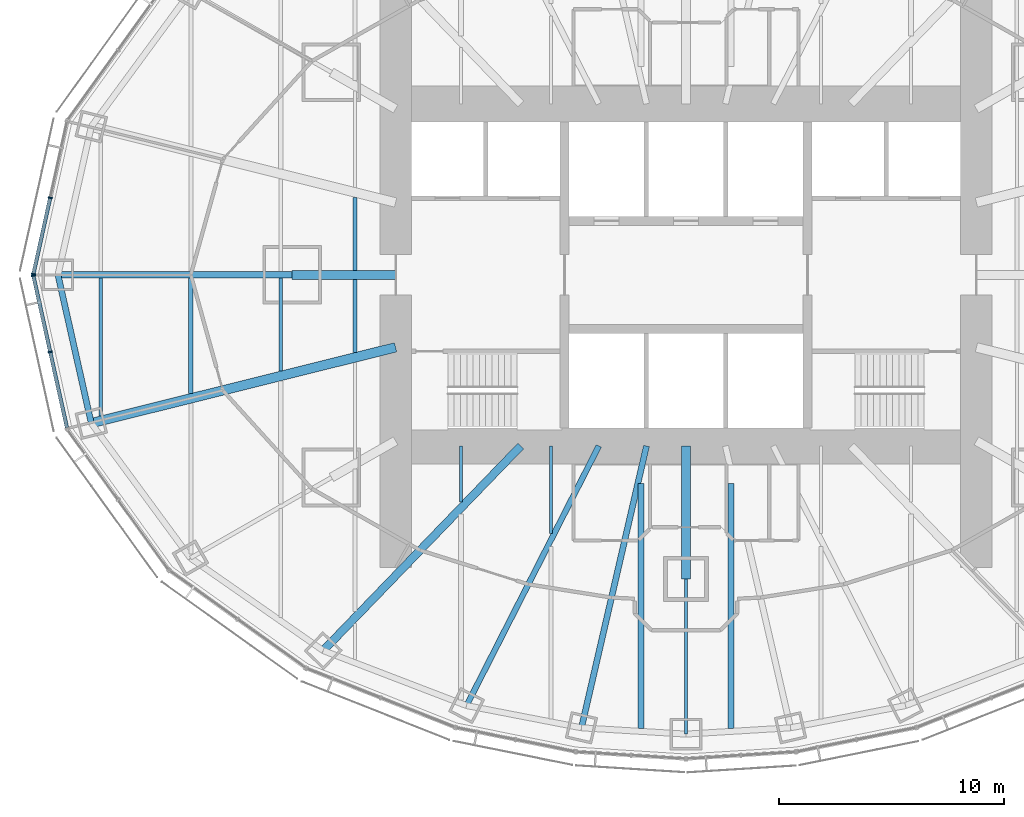
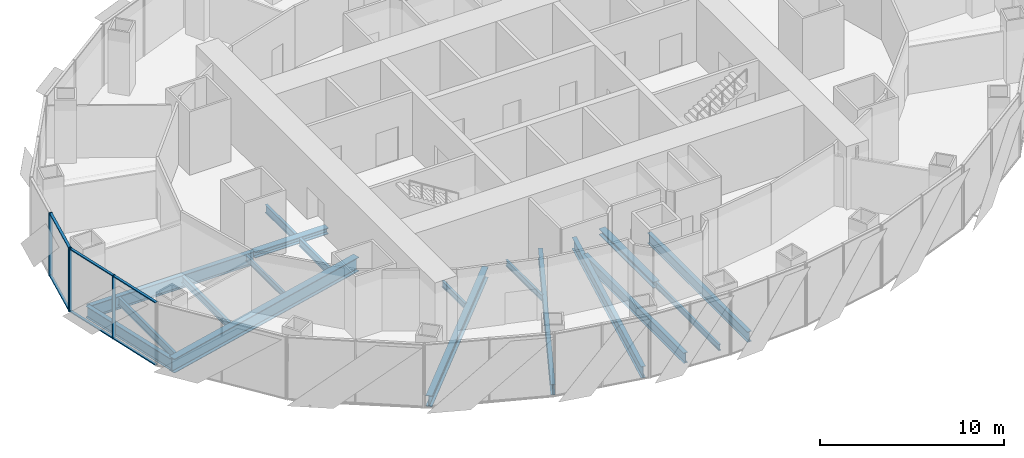
# One storey, part 3 of 17: 18 beams, 10 members, 2 elements without a shape of their own.
"""IFC4 building model written with IfcOpenShell, lengths in metres."""

from ifc_helpers import new_model, si_unit, direction, frame, origin, origin_2d, place, context, subcontext, project, spatial, rectangle, i_section, extrude, material, material_profile, profile_set, type_object, element, aggregate, save


model = new_model("IFC4")

# Units and contexts
model_context = context("Model", 3, precision=1e-05, world=origin(), true_north=direction((0.0, 1.0)))
body_context = subcontext(model_context, "Body", "Model", "MODEL_VIEW")
ifc_project = project(units=[si_unit("LENGTHUNIT", "METRE"), si_unit("AREAUNIT", "SQUARE_METRE"), si_unit("VOLUMEUNIT", "CUBIC_METRE"), si_unit("PLANEANGLEUNIT", "RADIAN"), si_unit("MASSUNIT", "GRAM", prefix="KILO")], contexts=[model_context])

# Site, building, storey
site_placement = place(None, origin())
site = spatial("IfcSite", under=ifc_project, at=site_placement, CompositionType="ELEMENT")
building_placement = place(site_placement, origin())
building = spatial("IfcBuilding", under=site, at=building_placement, Name="Lantaw Convention Tower", CompositionType="ELEMENT")
storey_placement = place(building_placement, frame((0.0, 0.0, 121.60009765625)))
storey = spatial("IfcBuildingStorey", under=building, at=storey_placement, Name="L28", CompositionType="ELEMENT", Elevation=121.60009765625)

# Beams
ifc_material_1 = material(Name="Steel ASTM A992", Category="steel")
ifc_material_profile_1 = material_profile(ifc_material_1, i_section(OverallWidth=0.2666015625, OverallDepth=0.76953125, WebThickness=0.015625, FlangeThickness=0.025390625, FilletRadius=0.0126953125, at=origin_2d()), Name="W30X132")
ifc_profile_set_1 = profile_set([ifc_material_profile_1], Name="Steel ASTM A992")
beam_type_1 = type_object("IfcBeamType", Name="Beam E W30X132", PredefinedType="SPANDREL", material=ifc_profile_set_1)
beam_1_placement = place(storey_placement, frame((-27.89990234375, 0.0, -0.534912109375), z_axis=(0.219211877447, -0.975677279015, 0.0), x_axis=(0.975677279015, 0.219211877447, 0.0)))
element("IfcBeam", 1, at=beam_1_placement, inside=storey, type_object=beam_type_1, Name="Edge beam 13", PredefinedType="SPANDREL", context=body_context, shape_type="SweptSolid", body=[
    extrude(i_section(OverallWidth=0.2666015625, OverallDepth=0.76953125, WebThickness=0.015625, FlangeThickness=0.025390625, FilletRadius=0.0126953125, at=origin_2d()), origin(), (0.0, 0.0, 1.0), 6.75146484375),
])
ifc_material_profile_2 = material_profile(ifc_material_1, i_section(OverallWidth=0.140380859375, OverallDepth=0.40380859375, WebThickness=0.007080078125, FlangeThickness=0.01123046875, FilletRadius=0.01025390625, at=origin_2d()), Name="W16X31")
ifc_profile_set_2 = profile_set([ifc_material_profile_2], Name="Steel ASTM A992")
beam_type_2 = type_object("IfcBeamType", Name="Beam G W16X31", PredefinedType="BEAM", material=ifc_profile_set_2)
beam_2_placement = place(storey_placement, frame((0.0, -13.5, -0.35205078125), z_axis=(0.0, -1.0, 0.0), x_axis=(1.0, 0.0, 0.0)))
element("IfcBeam", 2, at=beam_2_placement, inside=storey, type_object=beam_type_2, Name="Floor girder on ray 19", PredefinedType="BEAM", context=body_context, shape_type="SweptSolid", body=[
    extrude(i_section(OverallWidth=0.140380859375, OverallDepth=0.40380859375, WebThickness=0.007080078125, FlangeThickness=0.01123046875, FilletRadius=0.01025390625, at=origin_2d()), origin(), (0.0, 0.0, 1.0), 6.89990234375),
])
ifc_material_profile_3 = material_profile(ifc_material_1, i_section(OverallWidth=0.25390625, OverallDepth=0.700927734375, WebThickness=0.015380859375, FlangeThickness=0.02783203125, FilletRadius=0.01513671875, at=origin_2d()), Name="W27X129")
ifc_profile_set_3 = profile_set([ifc_material_profile_3], Name="Steel ASTM A992")
beam_type_3 = type_object("IfcBeamType", Name="Beam G W27X129", PredefinedType="BEAM", material=ifc_profile_set_3)
beam_3_placement = place(storey_placement, frame((-3.872314453125, -7.60009765625, -0.500732421875), z_axis=(-0.453991051051, -0.891006243281, 0.0), x_axis=(0.891006243281, -0.453991051051, 0.0)))
element("IfcBeam", 3, at=beam_3_placement, inside=storey, type_object=beam_type_3, Name="Floor girder on ray 17", PredefinedType="BEAM", context=body_context, shape_type="SweptSolid", body=[
    extrude(i_section(OverallWidth=0.25390625, OverallDepth=0.700927734375, WebThickness=0.015380859375, FlangeThickness=0.02783203125, FilletRadius=0.01513671875, at=origin_2d()), origin(), (0.0, 0.0, 1.0), 12.943359375),
])
ifc_material_profile_4 = material_profile(ifc_material_1, i_section(OverallWidth=0.360595703125, OverallDepth=0.72900390625, WebThickness=0.023193359375, FlangeThickness=0.041015625, FilletRadius=0.0126953125, at=origin_2d()), Name="W27X235")
ifc_profile_set_4 = profile_set([ifc_material_profile_4], Name="Steel ASTM A992")
beam_type_4 = type_object("IfcBeamType", Name="Beam G W27X235", PredefinedType="BEAM", material=ifc_profile_set_4)
beam_4_placement = place(storey_placement, frame((-7.33935546875, -7.60009765625, -0.5146484375), z_axis=(-0.694663467407, -0.719334878239, 0.0), x_axis=(0.719334878239, -0.694663467407, 0.0)))
element("IfcBeam", 4, at=beam_4_placement, inside=storey, type_object=beam_type_4, Name="Floor girder on ray 16", PredefinedType="BEAM", context=body_context, shape_type="SweptSolid", body=[
    extrude(i_section(OverallWidth=0.360595703125, OverallDepth=0.72900390625, WebThickness=0.023193359375, FlangeThickness=0.041015625, FilletRadius=0.0126953125, at=origin_2d()), origin(), (0.0, 0.0, 1.0), 12.63671875),
])
ifc_material_profile_5 = material_profile(ifc_material_1, i_section(OverallWidth=0.2666015625, OverallDepth=0.7568359375, WebThickness=0.013916015625, FlangeThickness=0.019287109375, FilletRadius=0.0126953125, at=origin_2d()), Name="W30X108")
ifc_profile_set_5 = profile_set([ifc_material_profile_5], Name="Steel ASTM A992")
beam_type_5 = type_object("IfcBeamType", Name="Beam G W30X108", PredefinedType="BEAM", material=ifc_profile_set_5)
beam_5_placement = place(storey_placement, frame((-1.754638671875, -7.60009765625, -0.528564453125), z_axis=(-0.224944153104, -0.974371658036, 0.0), x_axis=(0.974371658036, -0.224944153104, 0.0)))
element("IfcBeam", 5, at=beam_5_placement, inside=storey, type_object=beam_type_5, Name="Floor girder on ray 18", PredefinedType="BEAM", context=body_context, shape_type="SweptSolid", body=[
    extrude(i_section(OverallWidth=0.2666015625, OverallDepth=0.7568359375, WebThickness=0.013916015625, FlangeThickness=0.019287109375, FilletRadius=0.0126953125, at=origin_2d()), origin(), (0.0, 0.0, 1.0), 12.849365234375),
])
ifc_material_profile_6 = material_profile(ifc_material_1, i_section(OverallWidth=0.2919921875, OverallDepth=0.845703125, WebThickness=0.015380859375, FlangeThickness=0.0244140625, FilletRadius=0.01513671875, at=origin_2d()), Name="W33X141")
ifc_profile_set_6 = profile_set([ifc_material_profile_6], Name="Steel ASTM A992")
beam_type_6 = type_object("IfcBeamType", Name="Beam G W33X141", PredefinedType="BEAM", material=ifc_profile_set_6)
beam_6_placement = place(storey_placement, frame((-17.5, 0.0, -0.572998046875), z_axis=(-1.0, 0.0, 0.0), x_axis=(0.0, -1.0, 0.0)))
element("IfcBeam", 6, at=beam_6_placement, inside=storey, type_object=beam_type_6, Name="Floor girder on ray 13", PredefinedType="BEAM", context=body_context, shape_type="SweptSolid", body=[
    extrude(i_section(OverallWidth=0.2919921875, OverallDepth=0.845703125, WebThickness=0.015380859375, FlangeThickness=0.0244140625, FilletRadius=0.01513671875, at=origin_2d()), origin(), (0.0, 0.0, 1.0), 10.39990234375),
])
ifc_material_profile_7 = material_profile(ifc_material_1, i_section(OverallWidth=0.421630859375, OverallDepth=0.937255859375, WebThickness=0.0224609375, FlangeThickness=0.039794921875, FilletRadius=0.02001953125, at=origin_2d()), Name="W36X282")
ifc_profile_set_7 = profile_set([ifc_material_profile_7], Name="Steel ASTM A992")
beam_type_7 = type_object("IfcBeamType", Name="Beam G W36X282", PredefinedType="BEAM", material=ifc_profile_set_7)
beam_7_placement = place(storey_placement, frame((-12.89990234375, -3.21630859375, -0.61865234375), z_axis=(-0.970296903132, -0.24191717544, 0.0), x_axis=(0.24191717544, -0.970296903132, 0.0)))
element("IfcBeam", 7, at=beam_7_placement, inside=storey, type_object=beam_type_7, Name="Floor girder on ray 14", PredefinedType="BEAM", context=body_context, shape_type="SweptSolid", body=[
    extrude(i_section(OverallWidth=0.421630859375, OverallDepth=0.937255859375, WebThickness=0.0224609375, FlangeThickness=0.039794921875, FilletRadius=0.02001953125, at=origin_2d()), origin(), (0.0, 0.0, 1.0), 13.933837890625),
])
ifc_material_profile_8 = material_profile(ifc_material_1, i_section(OverallWidth=0.40380859375, OverallDepth=0.406494140625, WebThickness=0.027099609375, FlangeThickness=0.043701171875, FilletRadius=0.01513671875, at=origin_2d()), Name="W14X233")
ifc_profile_set_8 = profile_set([ifc_material_profile_8], Name="Steel ASTM A992")
beam_type_8 = type_object("IfcBeamType", Name="Beam GM W14X233", PredefinedType="BEAM", material=ifc_profile_set_8)
beam_8_placement = place(storey_placement, frame((-12.89990234375, 0.0, -0.353271484375), z_axis=(-1.0, 0.0, 0.0), x_axis=(0.0, -1.0, 0.0)))
element("IfcBeam", 8, at=beam_8_placement, inside=storey, type_object=beam_type_8, Name="Core link beam on ray 13", PredefinedType="BEAM", context=body_context, shape_type="SweptSolid", body=[
    extrude(i_section(OverallWidth=0.40380859375, OverallDepth=0.406494140625, WebThickness=0.027099609375, FlangeThickness=0.043701171875, FilletRadius=0.01513671875, at=origin_2d()), origin(), (0.0, 0.0, 1.0), 4.60009765625),
])
beam_9_placement = place(storey_placement, frame((0.0, -7.60009765625, -0.353271484375), z_axis=(0.0, -1.0, 0.0), x_axis=(1.0, 0.0, 0.0)))
element("IfcBeam", 9, at=beam_9_placement, inside=storey, type_object=beam_type_8, Name="Core link beam on ray 19", PredefinedType="BEAM", context=body_context, shape_type="SweptSolid", body=[
    extrude(i_section(OverallWidth=0.40380859375, OverallDepth=0.406494140625, WebThickness=0.027099609375, FlangeThickness=0.043701171875, FilletRadius=0.01513671875, at=origin_2d()), origin(), (0.0, 0.0, 1.0), 5.89990234375),
])
ifc_material_profile_9 = material_profile(ifc_material_1, i_section(OverallWidth=0.140380859375, OverallDepth=0.40380859375, WebThickness=0.007080078125, FlangeThickness=0.01123046875, FilletRadius=0.01025390625, at=origin_2d()), Name="W16X31")
ifc_profile_set_9 = profile_set([ifc_material_profile_9], Name="Steel ASTM A992")
beam_type_9 = type_object("IfcBeamType", Name="Beam J W16X31", PredefinedType="JOIST", material=ifc_profile_set_9)
beam_10_placement = place(storey_placement, frame((-18.0, -4.270751953125, -0.35205078125), z_axis=(0.0, 1.0, 0.0), x_axis=(-1.0, 0.0, 0.0)))
element("IfcBeam", 10, at=beam_10_placement, inside=storey, type_object=beam_type_9, Name="Floor joist", PredefinedType="JOIST", context=body_context, shape_type="SweptSolid", body=[
    extrude(i_section(OverallWidth=0.140380859375, OverallDepth=0.40380859375, WebThickness=0.007080078125, FlangeThickness=0.01123046875, FilletRadius=0.01025390625, at=origin_2d()), origin(), (0.0, 0.0, 1.0), 4.124755859375),
])
beam_11_placement = place(storey_placement, frame((-10.0, -10.095703125, -0.35205078125), z_axis=(0.0, 1.0, 0.0), x_axis=(-1.0, 0.0, 0.0)))
element("IfcBeam", 11, at=beam_11_placement, inside=storey, type_object=beam_type_9, Name="Floor joist", PredefinedType="JOIST", context=body_context, shape_type="SweptSolid", body=[
    extrude(i_section(OverallWidth=0.140380859375, OverallDepth=0.40380859375, WebThickness=0.007080078125, FlangeThickness=0.01123046875, FilletRadius=0.01025390625, at=origin_2d()), origin(), (0.0, 0.0, 1.0), 2.49560546875),
])
beam_12_placement = place(storey_placement, frame((-6.0, -11.495849609375, -0.35205078125), z_axis=(0.0, 1.0, 0.0), x_axis=(-1.0, 0.0, 0.0)))
element("IfcBeam", 12, at=beam_12_placement, inside=storey, type_object=beam_type_9, Name="Floor joist", PredefinedType="JOIST", context=body_context, shape_type="SweptSolid", body=[
    extrude(i_section(OverallWidth=0.140380859375, OverallDepth=0.40380859375, WebThickness=0.007080078125, FlangeThickness=0.01123046875, FilletRadius=0.01025390625, at=origin_2d()), origin(), (0.0, 0.0, 1.0), 3.895751953125),
])
ifc_material_profile_10 = material_profile(ifc_material_1, i_section(OverallWidth=0.1904296875, OverallDepth=0.457275390625, WebThickness=0.009033203125, FlangeThickness=0.014404296875, FilletRadius=0.01025390625, at=origin_2d()), Name="W18X50")
ifc_profile_set_10 = profile_set([ifc_material_profile_10], Name="Steel ASTM A992")
beam_type_10 = type_object("IfcBeamType", Name="Beam J W18X50", PredefinedType="JOIST", material=ifc_profile_set_10)
beam_13_placement = place(storey_placement, frame((-22.0, -5.267822265625, -0.378662109375), z_axis=(0.0, 1.0, 0.0), x_axis=(-1.0, 0.0, 0.0)))
element("IfcBeam", 13, at=beam_13_placement, inside=storey, type_object=beam_type_10, Name="Floor joist", PredefinedType="JOIST", context=body_context, shape_type="SweptSolid", body=[
    extrude(i_section(OverallWidth=0.1904296875, OverallDepth=0.457275390625, WebThickness=0.009033203125, FlangeThickness=0.014404296875, FilletRadius=0.01025390625, at=origin_2d()), origin(), (0.0, 0.0, 1.0), 5.121826171875),
])
ifc_material_profile_11 = material_profile(ifc_material_1, i_section(OverallWidth=0.1650390625, OverallDepth=0.52587890625, WebThickness=0.0087890625, FlangeThickness=0.011474609375, FilletRadius=0.0126953125, at=origin_2d()), Name="W21X44")
ifc_profile_set_11 = profile_set([ifc_material_profile_11], Name="Steel ASTM A992")
beam_type_11 = type_object("IfcBeamType", Name="Beam J W21X44", PredefinedType="JOIST", material=ifc_profile_set_11)
beam_14_placement = place(storey_placement, frame((-26.0, -6.26513671875, -0.4130859375), z_axis=(0.0, 1.0, 0.0), x_axis=(-1.0, 0.0, 0.0)))
element("IfcBeam", 14, at=beam_14_placement, inside=storey, type_object=beam_type_11, Name="Floor joist", PredefinedType="JOIST", context=body_context, shape_type="SweptSolid", body=[
    extrude(i_section(OverallWidth=0.1650390625, OverallDepth=0.52587890625, WebThickness=0.0087890625, FlangeThickness=0.011474609375, FilletRadius=0.0126953125, at=origin_2d()), origin(), (0.0, 0.0, 1.0), 6.119140625),
])
ifc_material_profile_12 = material_profile(ifc_material_1, i_section(OverallWidth=0.165771484375, OverallDepth=0.5283203125, WebThickness=0.009765625, FlangeThickness=0.013671875, FilletRadius=0.012939453125, at=origin_2d()), Name="W21X50")
ifc_profile_set_12 = profile_set([ifc_material_profile_12], Name="Steel ASTM A992")
beam_type_12 = type_object("IfcBeamType", Name="Beam J W21X50", PredefinedType="JOIST", material=ifc_profile_set_12)
for number, where, z_axis, x_axis, name in (
    (15, (-14.699951171875, -3.44775390625, -0.414306640625), (0.0, 1.0, 0.0), (-1.0, 0.0, 0.0), "Floor joist"),
    (16, (-14.699951171875, 0.201904296875, -0.414306640625), (0.0, 1.0, 0.0), (-1.0, 0.0, 0.0), "Floor joist"),
):
    element("IfcBeam", number, at=place(storey_placement, frame(where, z_axis=z_axis, x_axis=x_axis)), inside=storey, type_object=beam_type_12, Name=name, PredefinedType="JOIST", context=body_context, shape_type="SweptSolid", body=[
        extrude(i_section(OverallWidth=0.165771484375, OverallDepth=0.5283203125, WebThickness=0.009765625, FlangeThickness=0.013671875, FilletRadius=0.012939453125, at=origin_2d()), origin(), (0.0, 0.0, 1.0), 3.245849609375),
    ])
ifc_material_profile_13 = material_profile(ifc_material_1, i_section(OverallWidth=0.25390625, OverallDepth=0.683349609375, WebThickness=0.012451171875, FlangeThickness=0.01904296875, FilletRadius=0.01513671875, at=origin_2d()), Name="W27X94")
ifc_profile_set_13 = profile_set([ifc_material_profile_13], Name="Steel ASTM A992")
beam_type_13 = type_object("IfcBeamType", Name="Beam J W27X94", PredefinedType="JOIST", material=ifc_profile_set_13)
for number, where, z_axis, x_axis, name in (
    (17, (-2.0, -20.145751953125, -0.49169921875), (0.0, 1.0, 0.0), (-1.0, 0.0, 0.0), "Floor joist"),
    (18, (2.0, -20.145751953125, -0.49169921875), (0.0, 1.0, 0.0), (-1.0, 0.0, 0.0), "Floor joist"),
):
    element("IfcBeam", number, at=place(storey_placement, frame(where, z_axis=z_axis, x_axis=x_axis)), inside=storey, type_object=beam_type_13, Name=name, PredefinedType="JOIST", context=body_context, shape_type="SweptSolid", body=[
        extrude(i_section(OverallWidth=0.25390625, OverallDepth=0.683349609375, WebThickness=0.012451171875, FlangeThickness=0.01904296875, FilletRadius=0.01513671875, at=origin_2d()), origin(), (0.0, 0.0, 1.0), 10.889892578125),
    ])

# Curtain wall, members
ifc_material_2 = material(Name="Aluminium framed curtain wall", Category="aluminium")
curtain_wall_type = type_object("IfcCurtainWallType", Name="Office curtain wall low rise, pale aluminium", PredefinedType="USERDEFINED", material=ifc_material_2)
curtain_wall_1_placement = place(storey_placement, origin())
curtain_wall_1 = element("IfcCurtainWall", 19, at=curtain_wall_1_placement, inside=storey, type_object=curtain_wall_type, Name="Office curtain wall low rise, pale aluminium L28", ObjectType="UNITISED CURTAIN WALL", PredefinedType="USERDEFINED")
ifc_material_3 = material(Name="Aluminium 6063-T6", Category="aluminium")
ifc_material_profile_14 = material_profile(ifc_material_3, rectangle(XDim=0.199951171875, YDim=0.06494140625, at=origin_2d()), Name="CW-O1 mullion 65x200")
ifc_profile_set_14 = profile_set([ifc_material_profile_14], Name="Aluminium 6063-T6")
member_type_1 = type_object("IfcMemberType", Name="CW-O1 mullion 65x200", PredefinedType="MULLION", material=ifc_profile_set_14)
member_1_placement = place(storey_placement, frame((-28.24365234375, 3.4267578125, -0.150146484375), z_axis=(0.0, 0.0, 1.0), x_axis=(0.9764936509, -0.215546166174, 0.0)))
member_1 = element("IfcMember", 20, at=member_1_placement, type_object=member_type_1, Name="CW-O1 mullion 2", PredefinedType="MULLION", context=body_context, shape_type="SweptSolid", body=[
    extrude(rectangle(XDim=0.199951171875, YDim=0.06494140625, at=origin_2d()), origin(), (0.0, 0.0, 1.0), 4.199951171875),
])
member_2_placement = place(storey_placement, frame((-28.992919921875, 0.03173828125, -0.150146484375), z_axis=(0.0, 0.0, 1.0), x_axis=(0.9764936509, -0.215546166174, 0.0)))
member_2 = element("IfcMember", 21, at=member_2_placement, type_object=member_type_1, Name="CW-O1 mullion 3", PredefinedType="MULLION", context=body_context, shape_type="SweptSolid", body=[
    extrude(rectangle(XDim=0.199951171875, YDim=0.06494140625, at=origin_2d()), origin(), (0.0, 0.0, 1.0), 4.199951171875),
])

curtain_wall_2_placement = place(storey_placement, origin())
curtain_wall_2 = element("IfcCurtainWall", 22, at=curtain_wall_2_placement, inside=storey, type_object=curtain_wall_type, Name="Office curtain wall low rise, pale aluminium L28", ObjectType="UNITISED CURTAIN WALL", PredefinedType="USERDEFINED")
member_3_placement = place(storey_placement, frame((-28.992919921875, -0.03173828125, -0.150146484375), z_axis=(0.0, 0.0, 1.0), x_axis=(0.9764936509, 0.215546166174, 0.0)))
member_3 = element("IfcMember", 23, at=member_3_placement, type_object=member_type_1, Name="CW-O1 mullion 1", PredefinedType="MULLION", context=body_context, shape_type="SweptSolid", body=[
    extrude(rectangle(XDim=0.199951171875, YDim=0.06494140625, at=origin_2d()), origin(), (0.0, 0.0, 1.0), 4.199951171875),
])
member_4_placement = place(storey_placement, frame((-28.24365234375, -3.4267578125, -0.150146484375), z_axis=(0.0, 0.0, 1.0), x_axis=(0.9764936509, 0.215546166174, 0.0)))
member_4 = element("IfcMember", 24, at=member_4_placement, type_object=member_type_1, Name="CW-O1 mullion 2", PredefinedType="MULLION", context=body_context, shape_type="SweptSolid", body=[
    extrude(rectangle(XDim=0.199951171875, YDim=0.06494140625, at=origin_2d()), origin(), (0.0, 0.0, 1.0), 4.199951171875),
])

# Member
ifc_material_profile_15 = material_profile(ifc_material_3, rectangle(XDim=0.159912109375, YDim=0.06494140625, at=origin_2d()), Name="CW-O1 transom 65x160")
ifc_profile_set_15 = profile_set([ifc_material_profile_15], Name="Aluminium 6063-T6")
member_type_2 = type_object("IfcMemberType", Name="CW-O1 transom 65x160", PredefinedType="USERDEFINED", material=ifc_profile_set_15)
member_5_placement = place(storey_placement, frame((-28.250732421875, 3.39501953125, -0.11767578125), z_axis=(-0.215536096386, -0.976495873598, 0.0), x_axis=(0.976495873598, -0.215536096386, 0.0)))
member_5 = element("IfcMember", 25, at=member_5_placement, type_object=member_type_2, Name="CW-O1 transom 2.1", ObjectType="TRANSOM", PredefinedType="USERDEFINED", context=body_context, shape_type="SweptSolid", body=[
    extrude(rectangle(XDim=0.159912109375, YDim=0.06494140625, at=origin_2d()), origin(), (0.0, 0.0, 1.0), 3.41162109375),
])

member_6_placement = place(storey_placement, frame((-28.250732421875, 3.39501953125, 4.017333984375), z_axis=(-0.215536096386, -0.976495873598, 0.0), x_axis=(0.976495873598, -0.215536096386, 0.0)))
member_6 = element("IfcMember", 26, at=member_6_placement, type_object=member_type_2, Name="CW-O1 transom 2.2", ObjectType="TRANSOM", PredefinedType="USERDEFINED", context=body_context, shape_type="SweptSolid", body=[
    extrude(rectangle(XDim=0.159912109375, YDim=0.06494140625, at=origin_2d()), origin(), (0.0, 0.0, 1.0), 3.41162109375),
])

aggregate(curtain_wall_1, [member_1, member_2, member_5, member_6])

member_7_placement = place(storey_placement, frame((-28.986083984375, -0.0634765625, -0.11767578125), z_axis=(0.215536096386, -0.976495873598, 0.0), x_axis=(0.976495873598, 0.215536096386, 0.0)))
member_7 = element("IfcMember", 27, at=member_7_placement, type_object=member_type_2, Name="CW-O1 transom 1.1", ObjectType="TRANSOM", PredefinedType="USERDEFINED", context=body_context, shape_type="SweptSolid", body=[
    extrude(rectangle(XDim=0.159912109375, YDim=0.06494140625, at=origin_2d()), origin(), (0.0, 0.0, 1.0), 3.41162109375),
])

member_8_placement = place(storey_placement, frame((-28.986083984375, -0.0634765625, 4.017333984375), z_axis=(0.215536096386, -0.976495873598, 0.0), x_axis=(0.976495873598, 0.215536096386, 0.0)))
member_8 = element("IfcMember", 28, at=member_8_placement, type_object=member_type_2, Name="CW-O1 transom 1.2", ObjectType="TRANSOM", PredefinedType="USERDEFINED", context=body_context, shape_type="SweptSolid", body=[
    extrude(rectangle(XDim=0.159912109375, YDim=0.06494140625, at=origin_2d()), origin(), (0.0, 0.0, 1.0), 3.41162109375),
])

member_9_placement = place(storey_placement, frame((-28.236572265625, -3.45849609375, -0.11767578125), z_axis=(0.21555115847, -0.976492548913, 0.0), x_axis=(0.976492548913, 0.21555115847, 0.0)))
member_9 = element("IfcMember", 29, at=member_9_placement, type_object=member_type_2, Name="CW-O1 transom 2.1", ObjectType="TRANSOM", PredefinedType="USERDEFINED", context=body_context, shape_type="SweptSolid", body=[
    extrude(rectangle(XDim=0.159912109375, YDim=0.06494140625, at=origin_2d()), origin(), (0.0, 0.0, 1.0), 3.411376953125),
])

member_10_placement = place(storey_placement, frame((-28.236572265625, -3.45849609375, 4.017333984375), z_axis=(0.21555115847, -0.976492548913, 0.0), x_axis=(0.976492548913, 0.21555115847, 0.0)))
member_10 = element("IfcMember", 30, at=member_10_placement, type_object=member_type_2, Name="CW-O1 transom 2.2", ObjectType="TRANSOM", PredefinedType="USERDEFINED", context=body_context, shape_type="SweptSolid", body=[
    extrude(rectangle(XDim=0.159912109375, YDim=0.06494140625, at=origin_2d()), origin(), (0.0, 0.0, 1.0), 3.411376953125),
])

aggregate(curtain_wall_2, [member_3, member_4, member_7, member_8, member_9, member_10])

save(model, "model.ifc")
